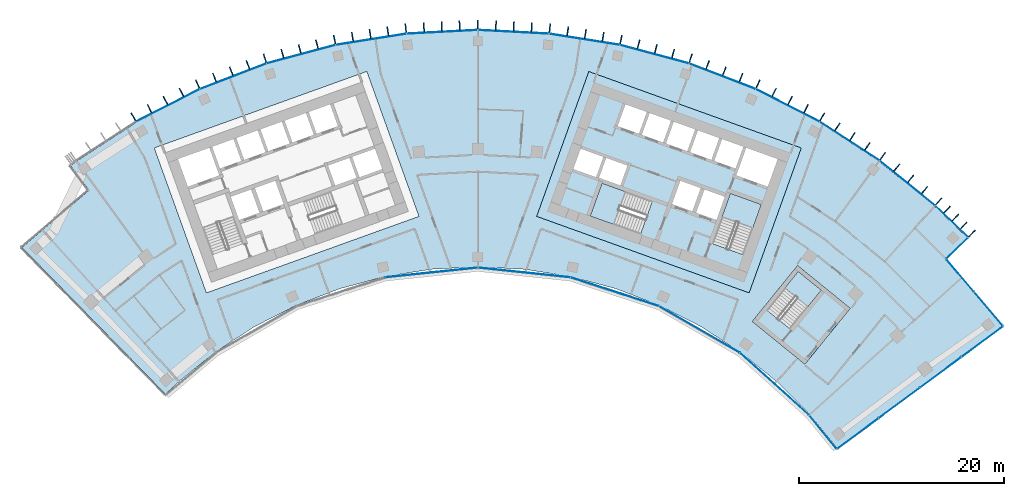
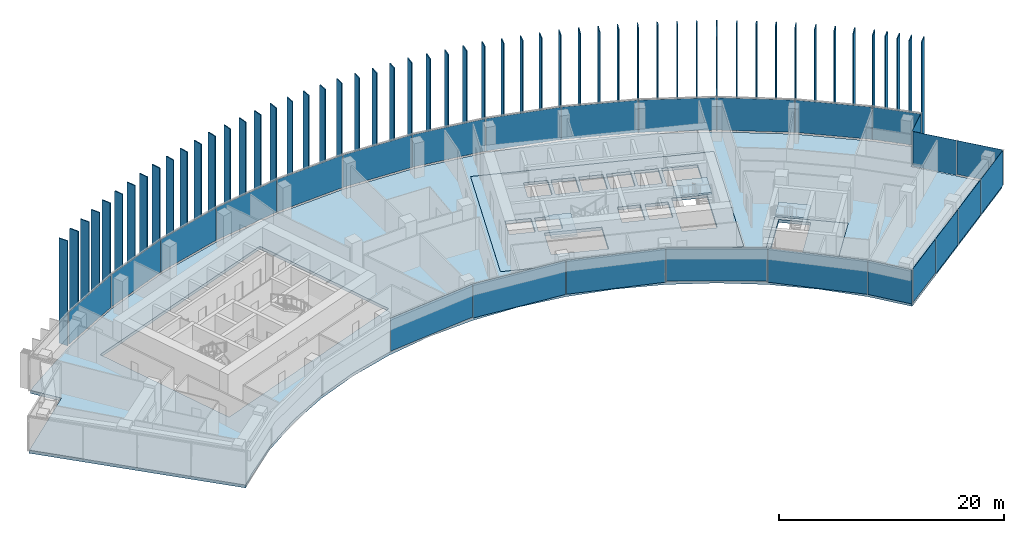
# One storey, part 12 of 19: 79 plates, 6 slabs, 8 elements without a shape of their own.
"""IFC4 building model written with IfcOpenShell, lengths in metres."""

from ifc_helpers import new_model, si_unit, direction, frame, origin, origin_2d, place, context, subcontext, project, spatial, polyline, rectangle, outline, extrude, material, layer, layer_set, type_object, element, aggregate, save


model = new_model("IFC4")

# Units and contexts
model_context = context("Model", 3, precision=1e-05, world=origin(), true_north=direction((0.0, 1.0)))
body_context = subcontext(model_context, "Body", "Model", "MODEL_VIEW")
ifc_project = project(units=[si_unit("LENGTHUNIT", "METRE"), si_unit("AREAUNIT", "SQUARE_METRE"), si_unit("VOLUMEUNIT", "CUBIC_METRE"), si_unit("PLANEANGLEUNIT", "RADIAN"), si_unit("MASSUNIT", "GRAM", prefix="KILO")], contexts=[model_context])

# Site, building, storey
site_placement = place(None, origin())
site = spatial("IfcSite", under=ifc_project, at=site_placement, CompositionType="ELEMENT")
building_placement = place(site_placement, origin())
building = spatial("IfcBuilding", under=site, at=building_placement, Name="Stone Belt Terrace Tower", CompositionType="ELEMENT")
storey_placement = place(building_placement, frame((0.0, 0.0, 223.800048828125)))
storey = spatial("IfcBuildingStorey", under=building, at=storey_placement, Name="L54", CompositionType="ELEMENT", Elevation=223.800048828125)

# Curtain wall, plates
ifc_material_1 = material(Name="Aluminium 6063-T6 anodised frame", Category="aluminium")
ifc_layer_1 = layer(ifc_material_1, 0.14990234375)
ifc_layer_set_1 = layer_set([ifc_layer_1], Name="CW-A unitised convex-face curtain wall")
curtain_wall_type_1 = type_object("IfcCurtainWallType", Name="CW-A unitised convex-face curtain wall", PredefinedType="NOTDEFINED", material=ifc_layer_set_1)
curtain_wall_1_placement = place(storey_placement, origin())
curtain_wall_1 = element("IfcCurtainWall", 1, at=curtain_wall_1_placement, inside=storey, type_object=curtain_wall_type_1, Name="CW-A convex face L54", PredefinedType="NOTDEFINED")
ifc_material_2 = material(Name="Clear double glazed unit")
ifc_layer_2 = layer(ifc_material_2, 0.031982421875)
ifc_layer_set_2 = layer_set([ifc_layer_2], Name="CW-A glass panel 32")
plate_type_1 = type_object("IfcPlateType", Name="CW-A glass panel 32", PredefinedType="CURTAIN_PANEL", material=ifc_layer_set_2)
plate_1_placement = place(storey_placement, frame((46.14599609375, 47.936767578125, 0.139892578125), z_axis=(0.0, 0.0, 1.0), x_axis=(-0.720604393579, 0.693346455933, 0.0)))
plate_1 = element("IfcPlate", 2, at=plate_1_placement, type_object=plate_type_1, Name="CW-A panel 1.1", PredefinedType="CURTAIN_PANEL", context=body_context, shape_type="SweptSolid", body=[
    extrude(rectangle(XDim=4.372314453125, YDim=0.031982421875, at=origin_2d()), origin(), (0.0, 0.0, 1.0), 3.52001953125),
])
plate_2_placement = place(storey_placement, frame((41.839599609375, 51.667724609375, 0.139892578125), z_axis=(0.0, 0.0, 1.0), x_axis=(-0.777145961457, 0.62932039105, 0.0)))
plate_2 = element("IfcPlate", 3, at=plate_2_placement, type_object=plate_type_1, Name="CW-A panel 2.1", PredefinedType="CURTAIN_PANEL", context=body_context, shape_type="SweptSolid", body=[
    extrude(rectangle(XDim=6.90087890625, YDim=0.031982421875, at=origin_2d()), origin(), (0.0, 0.0, 1.0), 3.52001953125),
])
plate_3_placement = place(storey_placement, frame((36.209716796875, 55.758056640625, 0.139892578125), z_axis=(0.0, 0.0, 1.0), x_axis=(-0.838670567945, 0.544639035015, 0.0)))
plate_3 = element("IfcPlate", 4, at=plate_3_placement, type_object=plate_type_1, Name="CW-A panel 3.1", PredefinedType="CURTAIN_PANEL", context=body_context, shape_type="SweptSolid", body=[
    extrude(rectangle(XDim=6.90087890625, YDim=0.031982421875, at=origin_2d()), origin(), (0.0, 0.0, 1.0), 3.52001953125),
])
plate_4_placement = place(storey_placement, frame((30.18310546875, 59.237548828125, 0.139892578125), z_axis=(0.0, 0.0, 1.0), x_axis=(-0.891006524188, 0.45399049974, 0.0)))
plate_4 = element("IfcPlate", 5, at=plate_4_placement, type_object=plate_type_1, Name="CW-A panel 4.1", PredefinedType="CURTAIN_PANEL", context=body_context, shape_type="SweptSolid", body=[
    extrude(rectangle(XDim=6.90087890625, YDim=0.031982421875, at=origin_2d()), origin(), (0.0, 0.0, 1.0), 3.52001953125),
])
plate_5_placement = place(storey_placement, frame((23.82568359375, 62.068115234375, 0.139892578125), z_axis=(0.0, 0.0, 1.0), x_axis=(-0.933580426497, 0.358367949545, 0.0)))
plate_5 = element("IfcPlate", 6, at=plate_5_placement, type_object=plate_type_1, Name="CW-A panel 5.1", PredefinedType="CURTAIN_PANEL", context=body_context, shape_type="SweptSolid", body=[
    extrude(rectangle(XDim=6.90087890625, YDim=0.031982421875, at=origin_2d()), origin(), (0.0, 0.0, 1.0), 3.52001953125),
])
plate_6_placement = place(storey_placement, frame((17.207275390625, 64.218505859375, 0.139892578125), z_axis=(0.0, 0.0, 1.0), x_axis=(-0.965925826289, 0.258819045103, 0.0)))
plate_6 = element("IfcPlate", 7, at=plate_6_placement, type_object=plate_type_1, Name="CW-A panel 6.1", PredefinedType="CURTAIN_PANEL", context=body_context, shape_type="SweptSolid", body=[
    extrude(rectangle(XDim=6.90087890625, YDim=0.031982421875, at=origin_2d()), origin(), (0.0, 0.0, 1.0), 3.52001953125),
])
plate_7_placement = place(storey_placement, frame((10.400390625, 65.665283203125, 0.139892578125), z_axis=(0.0, 0.0, 1.0), x_axis=(-0.987688340595, 0.15643446504, 0.0)))
plate_7 = element("IfcPlate", 8, at=plate_7_placement, type_object=plate_type_1, Name="CW-A panel 7.1", PredefinedType="CURTAIN_PANEL", context=body_context, shape_type="SweptSolid", body=[
    extrude(rectangle(XDim=6.90087890625, YDim=0.031982421875, at=origin_2d()), origin(), (0.0, 0.0, 1.0), 3.52001953125),
])
plate_8_placement = place(storey_placement, frame((3.4794921875, 66.392822265625, 0.139892578125), z_axis=(0.0, 0.0, 1.0), x_axis=(-0.998629534755, 0.052335956243, 0.0)))
plate_8 = element("IfcPlate", 9, at=plate_8_placement, type_object=plate_type_1, Name="CW-A panel 8.1", PredefinedType="CURTAIN_PANEL", context=body_context, shape_type="SweptSolid", body=[
    extrude(rectangle(XDim=6.90087890625, YDim=0.031982421875, at=origin_2d()), origin(), (0.0, 0.0, 1.0), 3.52001953125),
])
plate_9_placement = place(storey_placement, frame((-3.4794921875, 66.392822265625, 0.139892578125), z_axis=(0.0, 0.0, 1.0), x_axis=(-0.998629534755, -0.052335956243, 0.0)))
plate_9 = element("IfcPlate", 10, at=plate_9_placement, type_object=plate_type_1, Name="CW-A panel 9.1", PredefinedType="CURTAIN_PANEL", context=body_context, shape_type="SweptSolid", body=[
    extrude(rectangle(XDim=6.90087890625, YDim=0.031982421875, at=origin_2d()), origin(), (0.0, 0.0, 1.0), 3.52001953125),
])
plate_10_placement = place(storey_placement, frame((-10.400390625, 65.665283203125, 0.139892578125), z_axis=(0.0, 0.0, 1.0), x_axis=(-0.987688340595, -0.15643446504, 0.0)))
plate_10 = element("IfcPlate", 11, at=plate_10_placement, type_object=plate_type_1, Name="CW-A panel 10.1", PredefinedType="CURTAIN_PANEL", context=body_context, shape_type="SweptSolid", body=[
    extrude(rectangle(XDim=6.90087890625, YDim=0.031982421875, at=origin_2d()), origin(), (0.0, 0.0, 1.0), 3.52001953125),
])
plate_11_placement = place(storey_placement, frame((-17.207275390625, 64.218505859375, 0.139892578125), z_axis=(0.0, 0.0, 1.0), x_axis=(-0.965925826289, -0.258819045103, 0.0)))
plate_11 = element("IfcPlate", 12, at=plate_11_placement, type_object=plate_type_1, Name="CW-A panel 11.1", PredefinedType="CURTAIN_PANEL", context=body_context, shape_type="SweptSolid", body=[
    extrude(rectangle(XDim=6.90087890625, YDim=0.031982421875, at=origin_2d()), origin(), (0.0, 0.0, 1.0), 3.52001953125),
])
plate_12_placement = place(storey_placement, frame((-23.82568359375, 62.068115234375, 0.139892578125), z_axis=(0.0, 0.0, 1.0), x_axis=(-0.933580426497, -0.358367949545, 0.0)))
plate_12 = element("IfcPlate", 13, at=plate_12_placement, type_object=plate_type_1, Name="CW-A panel 12.1", PredefinedType="CURTAIN_PANEL", context=body_context, shape_type="SweptSolid", body=[
    extrude(rectangle(XDim=6.90087890625, YDim=0.031982421875, at=origin_2d()), origin(), (0.0, 0.0, 1.0), 3.52001953125),
])
plate_13_placement = place(storey_placement, frame((-30.18310546875, 59.237548828125, 0.139892578125), z_axis=(0.0, 0.0, 1.0), x_axis=(-0.891006524188, -0.45399049974, 0.0)))
plate_13 = element("IfcPlate", 14, at=plate_13_placement, type_object=plate_type_1, Name="CW-A panel 13.1", PredefinedType="CURTAIN_PANEL", context=body_context, shape_type="SweptSolid", body=[
    extrude(rectangle(XDim=6.90087890625, YDim=0.031982421875, at=origin_2d()), origin(), (0.0, 0.0, 1.0), 3.52001953125),
])
aggregate(curtain_wall_1, [plate_1, plate_2, plate_3, plate_4, plate_5, plate_6, plate_7, plate_8, plate_9, plate_10, plate_11, plate_12, plate_13])

ifc_layer_3 = layer(ifc_material_1, 0.14990234375)
ifc_layer_set_3 = layer_set([ifc_layer_3], Name="CW-B unitised concave-face curtain wall")
curtain_wall_type_2 = type_object("IfcCurtainWallType", Name="CW-B unitised concave-face curtain wall", PredefinedType="NOTDEFINED", material=ifc_layer_set_3)
curtain_wall_2_placement = place(storey_placement, origin())
curtain_wall_2 = element("IfcCurtainWall", 15, at=curtain_wall_2_placement, inside=storey, type_object=curtain_wall_type_2, Name="CW-B concave face L54", PredefinedType="NOTDEFINED")
ifc_layer_4 = layer(ifc_material_2, 0.030029296875)
ifc_layer_set_4 = layer_set([ifc_layer_4], Name="CW-B glass panel 30")
plate_type_2 = type_object("IfcPlateType", Name="CW-B glass panel 30", PredefinedType="CURTAIN_PANEL", material=ifc_layer_set_4)
plate_14_placement = place(storey_placement, frame((-4.51416015625, 42.9501953125, 0.119873046875), z_axis=(0.0, 0.0, 1.0), x_axis=(0.994521895368, 0.104528463268, 0.0)))
plate_14 = element("IfcPlate", 16, at=plate_14_placement, type_object=plate_type_2, Name="CW-B panel 4.1", PredefinedType="CURTAIN_PANEL", context=body_context, shape_type="SweptSolid", body=[
    extrude(rectangle(XDim=9.0126953125, YDim=0.030029296875, at=origin_2d()), origin(), (0.0, 0.0, 1.0), 3.56005859375),
])
plate_15_placement = place(storey_placement, frame((4.51416015625, 42.9501953125, 0.0), z_axis=(0.0, 0.0, 1.0), x_axis=(0.994521895368, -0.104528463268, 0.0)))
plate_15 = element("IfcPlate", 17, at=plate_15_placement, type_object=plate_type_2, Name="CW-B panel 5.1", PredefinedType="CURTAIN_PANEL", context=body_context, shape_type="SweptSolid", body=[
    extrude(rectangle(XDim=9.0126953125, YDim=0.030029296875, at=origin_2d()), origin(), (0.0, 0.0, 1.0), 3.679931640625),
])
plate_16_placement = place(storey_placement, frame((13.345458984375, 41.072998046875, 0.0), z_axis=(0.0, 0.0, 1.0), x_axis=(0.951056516295, -0.309016994375, 0.0)))
plate_16 = element("IfcPlate", 18, at=plate_16_placement, type_object=plate_type_2, Name="CW-B panel 6.1", PredefinedType="CURTAIN_PANEL", context=body_context, shape_type="SweptSolid", body=[
    extrude(rectangle(XDim=9.0126953125, YDim=0.030029296875, at=origin_2d()), origin(), (0.0, 0.0, 1.0), 3.679931640625),
])
plate_17_placement = place(storey_placement, frame((21.59326171875, 37.40087890625, 0.119873046875), z_axis=(0.0, 0.0, 1.0), x_axis=(0.866025403784, -0.5, 0.0)))
plate_17 = element("IfcPlate", 19, at=plate_17_placement, type_object=plate_type_2, Name="CW-B panel 7.1", PredefinedType="CURTAIN_PANEL", context=body_context, shape_type="SweptSolid", body=[
    extrude(rectangle(XDim=9.0126953125, YDim=0.030029296875, at=origin_2d()), origin(), (0.0, 0.0, 1.0), 3.56005859375),
])
plate_18_placement = place(storey_placement, frame((28.899169921875, 32.092529296875, 0.0), z_axis=(0.0, 0.0, 1.0), x_axis=(0.743144825477, -0.669130606359, 0.0)))
plate_18 = element("IfcPlate", 20, at=plate_18_placement, type_object=plate_type_2, Name="CW-B panel 8.1", PredefinedType="CURTAIN_PANEL", context=body_context, shape_type="SweptSolid", body=[
    extrude(rectangle(XDim=9.01708984375, YDim=0.030029296875, at=origin_2d()), origin(), (0.0, 0.0, 1.0), 3.679931640625),
])
plate_19_placement = place(storey_placement, frame((33.611572265625, 27.4150390625, 0.0), z_axis=(0.0, 0.0, 1.0), x_axis=(0.632397726807, -0.774643863417, 0.0)))
plate_19 = element("IfcPlate", 21, at=plate_19_placement, type_object=plate_type_2, Name="CW-B panel 9.1", PredefinedType="CURTAIN_PANEL", context=body_context, shape_type="SweptSolid", body=[
    extrude(rectangle(XDim=4.173828125, YDim=0.030029296875, at=origin_2d()), origin(), (0.0, 0.0, 1.0), 3.679931640625),
])
aggregate(curtain_wall_2, [plate_14, plate_15, plate_16, plate_17, plate_18, plate_19])

ifc_layer_5 = layer(ifc_material_1, 0.14990234375)
ifc_layer_set_5 = layer_set([ifc_layer_5], Name="CW-C stick curtain wall, horn ends and notches")
curtain_wall_type_3 = type_object("IfcCurtainWallType", Name="CW-C stick curtain wall, horn ends and notches", PredefinedType="NOTDEFINED", material=ifc_layer_set_5)
curtain_wall_3_placement = place(storey_placement, origin())
curtain_wall_3 = element("IfcCurtainWall", 22, at=curtain_wall_3_placement, inside=storey, type_object=curtain_wall_type_3, Name="CW-C end face L54", PredefinedType="NOTDEFINED")
ifc_layer_6 = layer(ifc_material_2, 0.028076171875)
ifc_layer_set_6 = layer_set([ifc_layer_6], Name="CW-C glass panel 28")
plate_type_3 = type_object("IfcPlateType", Name="CW-C glass panel 28", PredefinedType="CURTAIN_PANEL", material=ifc_layer_set_6)
plate_20_placement = place(storey_placement, frame((37.032470703125, 27.263916015625, 0.1201171875), z_axis=(0.0, 0.0, 1.0), x_axis=(0.804329077539, 0.594184091865, 0.0)))
plate_20 = element("IfcPlate", 23, at=plate_20_placement, type_object=plate_type_3, Name="CW-C panel 1.1", PredefinedType="CURTAIN_PANEL", context=body_context, shape_type="SweptSolid", body=[
    extrude(rectangle(XDim=4.968017578125, YDim=0.028076171875, at=origin_2d()), origin(), (0.0, 0.0, 1.0), 3.679931640625),
])
plate_21_placement = place(storey_placement, frame((41.0654296875, 30.2431640625, 0.0), z_axis=(0.0, 0.0, 1.0), x_axis=(0.804329077539, 0.594184091865, 0.0)))
plate_21 = element("IfcPlate", 24, at=plate_21_placement, type_object=plate_type_3, Name="CW-C panel 2.1", PredefinedType="CURTAIN_PANEL", context=body_context, shape_type="SweptSolid", body=[
    extrude(rectangle(XDim=4.93994140625, YDim=0.028076171875, at=origin_2d()), origin(), (0.0, 0.0, 1.0), 3.800048828125),
])
plate_22_placement = place(storey_placement, frame((45.0869140625, 33.2138671875, 0.0), z_axis=(0.0, 0.0, 1.0), x_axis=(0.804329077539, 0.594184091865, 0.0)))
plate_22 = element("IfcPlate", 25, at=plate_22_placement, type_object=plate_type_3, Name="CW-C panel 3.1", PredefinedType="CURTAIN_PANEL", context=body_context, shape_type="SweptSolid", body=[
    extrude(rectangle(XDim=4.93994140625, YDim=0.028076171875, at=origin_2d()), origin(), (0.0, 0.0, 1.0), 3.800048828125),
])
plate_23_placement = place(storey_placement, frame((49.122802734375, 36.1953125, 0.0), z_axis=(0.0, 0.0, 1.0), x_axis=(0.804329077539, 0.594184091865, 0.0)))
plate_23 = element("IfcPlate", 26, at=plate_23_placement, type_object=plate_type_3, Name="CW-C panel 4.1", PredefinedType="CURTAIN_PANEL", context=body_context, shape_type="SweptSolid", body=[
    extrude(rectangle(XDim=4.974853515625, YDim=0.028076171875, at=origin_2d()), origin(), (0.0, 0.0, 1.0), 3.800048828125),
])
aggregate(curtain_wall_3, [plate_20, plate_21, plate_22, plate_23])

curtain_wall_4_placement = place(storey_placement, origin())
curtain_wall_4 = element("IfcCurtainWall", 27, at=curtain_wall_4_placement, inside=storey, type_object=curtain_wall_type_3, Name="CW-C notch face L54", PredefinedType="NOTDEFINED")
plate_24_placement = place(storey_placement, frame((49.75390625, 39.402587890625, 0.1201171875), z_axis=(0.0, 0.0, 1.0), x_axis=(-0.647210945735, 0.762310954743, 0.0)))
plate_24 = element("IfcPlate", 28, at=plate_24_placement, type_object=plate_type_3, Name="CW-C panel 1.1", PredefinedType="CURTAIN_PANEL", context=body_context, shape_type="SweptSolid", body=[
    extrude(rectangle(XDim=4.268798828125, YDim=0.028076171875, at=origin_2d()), origin(), (0.0, 0.0, 1.0), 3.679931640625),
])
plate_25_placement = place(storey_placement, frame((47.000244140625, 42.645751953125, 0.0), z_axis=(0.0, 0.0, 1.0), x_axis=(-0.647210945735, 0.762310954743, 0.0)))
plate_25 = element("IfcPlate", 29, at=plate_25_placement, type_object=plate_type_3, Name="CW-C panel 2.1", PredefinedType="CURTAIN_PANEL", context=body_context, shape_type="SweptSolid", body=[
    extrude(rectangle(XDim=4.12060546875, YDim=0.028076171875, at=origin_2d()), origin(), (0.0, 0.0, 1.0), 3.800048828125),
])
aggregate(curtain_wall_4, [plate_24, plate_25])

# Curtain wall, plate
curtain_wall_5_placement = place(storey_placement, origin())
curtain_wall_5 = element("IfcCurtainWall", 30, at=curtain_wall_5_placement, inside=storey, type_object=curtain_wall_type_3, Name="CW-C notch face L54", PredefinedType="NOTDEFINED")
plate_26_placement = place(storey_placement, frame((46.69677734375, 45.320068359375, 0.1201171875), z_axis=(0.0, 0.0, 1.0), x_axis=(0.71680345276, 0.697275275707, 0.0)))
plate_26 = element("IfcPlate", 31, at=plate_26_placement, type_object=plate_type_3, Name="CW-C panel 1.1", PredefinedType="CURTAIN_PANEL", context=body_context, shape_type="SweptSolid", body=[
    extrude(rectangle(XDim=2.859619140625, YDim=0.028076171875, at=origin_2d()), origin(), (0.0, 0.0, 1.0), 3.679931640625),
])
aggregate(curtain_wall_5, [plate_26])

# Slabs
ifc_material_3 = material(Name="Concrete B40", Category="concrete")
ifc_layer_7 = layer(ifc_material_3, 0.320068359375)
ifc_layer_set_7 = layer_set([ifc_layer_7], Name="Core floor slab 320")
slab_type_1 = type_object("IfcSlabType", Name="Core floor slab 320", PredefinedType="FLOOR", material=ifc_layer_set_7)
slab_1_placement = place(storey_placement, frame((0.0, 0.0, -0.320068359375)))
element("IfcSlab", 32, at=slab_1_placement, inside=storey, type_object=slab_type_1, Name="Core B floor L54", PredefinedType="FLOOR", context=body_context, shape_type="SweptSolid", body=[
    extrude(outline(polyline([(26.43505859375, 40.968994140625), (31.513916015625, 55.0830078125), (10.81396484375, 62.531982421875), (5.735107421875, 48.4189453125), (26.43505859375, 40.968994140625)]), holes=[polyline([(12.10595703125, 51.652099609375), (16.998046875, 49.89208984375), (15.846923828125, 46.69189453125), (10.955078125, 48.452880859375), (12.10595703125, 51.652099609375)]), polyline([(12.511962890625, 54.110107421875), (14.58203125, 53.364990234375), (13.887939453125, 51.43603515625), (11.864990234375, 52.1640625), (11.847900390625, 52.116943359375), (11.801025390625, 52.134033203125), (12.511962890625, 54.110107421875)]), polyline([(9.30810546875, 53.031005859375), (10.01904296875, 55.007080078125), (12.22998046875, 54.2109375), (11.51904296875, 52.235107421875), (9.30810546875, 53.031005859375)]), polyline([(18.333984375, 55.52197265625), (19.095947265625, 57.638916015625), (21.166015625, 56.89404296875), (20.404052734375, 54.777099609375), (18.333984375, 55.52197265625)]), polyline([(16.743896484375, 58.485107421875), (18.81396484375, 57.739990234375), (18.052001953125, 55.623046875), (15.98193359375, 56.367919921875), (16.743896484375, 58.485107421875)]), polyline([(14.39111328125, 59.33203125), (16.4609375, 58.5869140625), (15.699951171875, 56.469970703125), (13.6298828125, 57.215087890625), (14.39111328125, 59.33203125)]), polyline([(27.618896484375, 49.575927734375), (25.85888671875, 44.68408203125), (22.847900390625, 45.76806640625), (24.60791015625, 50.659912109375), (27.618896484375, 49.575927734375)]), polyline([(23.25, 48.06689453125), (21.27392578125, 48.778076171875), (22.0869140625, 51.035888671875), (24.06298828125, 50.324951171875), (23.25, 48.06689453125)]), polyline([(20.89794921875, 48.9130859375), (18.922119140625, 49.6240234375), (19.735107421875, 51.883056640625), (21.7109375, 51.1708984375), (20.89794921875, 48.9130859375)]), polyline([(26.153076171875, 55.09912109375), (29.2109375, 53.9990234375), (28.24609375, 51.31689453125), (25.18798828125, 52.41796875), (26.153076171875, 55.09912109375)]), polyline([(23.801025390625, 55.946044921875), (25.87109375, 55.200927734375), (25.10888671875, 53.083984375), (23.0390625, 53.8291015625), (23.801025390625, 55.946044921875)]), polyline([(21.447998046875, 56.7919921875), (23.51806640625, 56.047119140625), (22.756103515625, 53.929931640625), (20.68603515625, 54.675048828125), (21.447998046875, 56.7919921875)])]), origin(), (0.0, 0.0, 1.0), 0.320068359375),
])
slab_2_placement = place(storey_placement, frame((0.0, 0.0, -0.320068359375)))
element("IfcSlab", 33, at=slab_2_placement, inside=storey, type_object=slab_type_1, Name="Exit stair ST3B floor L54", PredefinedType="FLOOR", context=body_context, shape_type="SweptSolid", body=[
    extrude(outline(polyline([(26.741943359375, 38.18408203125), (31.866943359375, 34.02392578125), (36.278076171875, 39.458984375), (31.154052734375, 43.618896484375), (26.741943359375, 38.18408203125)]), holes=[polyline([(30.407958984375, 37.462890625), (28.156005859375, 39.291015625), (31.2119140625, 43.055908203125), (33.464111328125, 41.22802734375), (30.407958984375, 37.462890625)])]), origin(), (0.0, 0.0, 1.0), 0.320068359375),
])
ifc_layer_8 = layer(ifc_material_3, 0.320068359375)
ifc_layer_set_8 = layer_set([ifc_layer_8], Name="Floor slab 320 B40")
slab_type_2 = type_object("IfcSlabType", Name="Floor slab 320 B40", PredefinedType="FLOOR", material=ifc_layer_set_8)
slab_3_placement = place(storey_placement, frame((0.0, 0.0, -0.320068359375)))
element("IfcSlab", 34, at=slab_3_placement, inside=storey, type_object=slab_type_2, Name="Floor slab L54", PredefinedType="FLOOR", context=body_context, shape_type="SweptSolid", body=[
    extrude(outline(polyline([(-39.671142578125, 53.370849609375), (-39.087646484375, 53.799560546875), (-33.25, 57.5908203125), (-27.048095703125, 60.750732421875), (-20.549560546875, 63.245361328125), (-13.826171875, 65.046875), (-6.951171875, 66.1357421875), (0.0, 66.5), (6.951171875, 66.1357421875), (13.826171875, 65.046875), (20.549560546875, 63.245361328125), (27.048095703125, 60.750732421875), (33.25, 57.5908203125), (39.087646484375, 53.799560546875), (44.497314453125, 49.419189453125), (47.66748046875, 46.368896484375), (45.51708984375, 44.277099609375), (51.074951171875, 37.730712890625), (34.98828125, 25.846923828125), (32.326904296875, 29.107177734375), (29.107177734375, 32.326904296875), (25.568603515625, 35.192138671875), (21.75, 37.672119140625), (17.693115234375, 39.7392578125), (13.442138671875, 41.37109375), (9.044189453125, 42.54931640625), (4.547119140625, 43.26171875), (0.0, 43.5), (-4.547119140625, 43.26171875), (-9.044189453125, 42.54931640625), (-13.442138671875, 41.37109375), (-17.693115234375, 39.7392578125), (-21.75, 37.672119140625), (-25.568603515625, 35.192138671875), (-29.107177734375, 32.326904296875), (-30.423583984375, 31.091064453125), (-44.411376953125, 45.385986328125), (-37.881591796875, 50.963134765625), (-39.671142578125, 53.370849609375)]), holes=[polyline([(-31.51416015625, 55.082763671875), (-26.434814453125, 40.968994140625), (-5.734619140625, 48.418701171875), (-10.81396484375, 62.532470703125), (-31.51416015625, 55.082763671875)]), polyline([(31.51416015625, 55.082763671875), (10.81396484375, 62.532470703125), (5.734619140625, 48.418701171875), (26.434814453125, 40.968994140625), (31.51416015625, 55.082763671875)]), polyline([(36.2783203125, 39.459228515625), (31.15380859375, 43.61865234375), (26.742431640625, 38.18359375), (31.86669921875, 34.024169921875), (36.2783203125, 39.459228515625)])]), origin(), (0.0, 0.0, 1.0), 0.320068359375),
])

# Stair, slab
stair_type = type_object("IfcStairType", Name="Exit stair 1500", PredefinedType="HALF_TURN_STAIR", material=ifc_material_3)
stair_1_placement = place(storey_placement, origin())
stair_1 = element("IfcStair", 35, at=stair_1_placement, inside=storey, type_object=stair_type, Name="L54 Exit stair 1 core B", PredefinedType="HALF_TURN_STAIR")
ifc_layer_9 = layer(ifc_material_3, 0.199951171875)
ifc_layer_set_9 = layer_set([ifc_layer_9], Name="Stair landing 200")
slab_type_3 = type_object("IfcSlabType", Name="Stair landing 200", PredefinedType="LANDING", material=ifc_layer_set_9)
slab_4_placement = place(storey_placement, frame((0.0, 0.0, 1.699951171875)))
slab_4 = element("IfcSlab", 36, at=slab_4_placement, type_object=slab_type_3, Name="ST1B landing 1", PredefinedType="LANDING", context=body_context, shape_type="SweptSolid", body=[
    extrude(outline(polyline([(26.806396484375, 47.3173828125), (27.619384765625, 49.576171875), (24.6083984375, 50.659912109375), (23.79541015625, 48.40087890625), (26.806396484375, 47.3173828125)])), origin(), (0.0, 0.0, 1.0), 0.199951171875),
])
aggregate(stair_1, [slab_4])

stair_2_placement = place(storey_placement, origin())
stair_2 = element("IfcStair", 37, at=stair_2_placement, inside=storey, type_object=stair_type, Name="L54 Exit stair 2 core B", PredefinedType="HALF_TURN_STAIR")
slab_5_placement = place(storey_placement, frame((0.0, 0.0, 1.699951171875)))
slab_5 = element("IfcSlab", 38, at=slab_5_placement, type_object=slab_type_3, Name="ST2B landing 1", PredefinedType="LANDING", context=body_context, shape_type="SweptSolid", body=[
    extrude(outline(polyline([(14.36474609375, 50.839111328125), (12.10595703125, 51.652099609375), (10.95458984375, 48.453125), (13.213623046875, 47.64013671875), (14.36474609375, 50.839111328125)])), origin(), (0.0, 0.0, 1.0), 0.199951171875),
])
aggregate(stair_2, [slab_5])

stair_3_placement = place(storey_placement, origin())
stair_3 = element("IfcStair", 39, at=stair_3_placement, inside=storey, type_object=stair_type, Name="L54 Exit stair 3B", PredefinedType="HALF_TURN_STAIR")
slab_6_placement = place(storey_placement, frame((0.0, 0.0, 1.699951171875)))
slab_6 = element("IfcSlab", 40, at=slab_6_placement, type_object=slab_type_3, Name="ST3B landing 1", PredefinedType="LANDING", context=body_context, shape_type="SweptSolid", body=[
    extrude(outline(polyline([(32.17138671875, 39.635986328125), (33.4638671875, 41.228271484375), (31.21240234375, 43.055908203125), (29.919921875, 41.463623046875), (32.17138671875, 39.635986328125)])), origin(), (0.0, 0.0, 1.0), 0.199951171875),
])
aggregate(stair_3, [slab_6])

# Plates
ifc_material_4 = material(Name="Terracotta coloured glazed ceramic", Category="masonry")
ifc_layer_10 = layer(ifc_material_4, 0.10009765625)
ifc_layer_set_10 = layer_set([ifc_layer_10], Name="Terracotta fin 100 x 900")
plate_type_4 = type_object("IfcPlateType", Name="Terracotta fin 100 x 900", PredefinedType="SHEET", material=ifc_layer_set_10)
for number, where, z_axis, x_axis, name in (
    (41, (48.139404296875, 46.747314453125, 0.0), (0.0, 0.0, 1.0), (0.693346455933, 0.720604393579, 0.0), "FIN L54 1.1"),
    (42, (47.332275390625, 47.52392578125, 0.0), (0.0, 0.0, 1.0), (0.693346455933, 0.720604393579, 0.0), "FIN L54 1.2"),
    (43, (46.525146484375, 48.300537109375, 0.0), (0.0, 0.0, 1.0), (0.693346455933, 0.720604393579, 0.0), "FIN L54 1.3"),
    (44, (45.718017578125, 49.0771484375, 0.0), (0.0, 0.0, 1.0), (0.693346455933, 0.720604393579, 0.0), "FIN L54 1.4"),
    (45, (44.894287109375, 49.868896484375, 0.0), (0.0, 0.0, 1.0), (0.661937409618, 0.749559114245, 0.0), "FIN L54 2.1"),
    (46, (43.5234375, 50.979736328125, 0.0), (0.0, 0.0, 1.0), (0.62932039105, 0.777145961457, 0.0), "FIN L54 2.2"),
    (47, (42.169677734375, 52.075927734375, 0.0), (0.0, 0.0, 1.0), (0.62932039105, 0.777145961457, 0.0), "FIN L54 2.3"),
    (48, (40.81591796875, 53.172119140625, 0.0), (0.0, 0.0, 1.0), (0.62932039105, 0.777145961457, 0.0), "FIN L54 2.4"),
    (49, (39.4404296875, 54.28515625, 0.0), (0.0, 0.0, 1.0), (0.587785252292, 0.809016994375, 0.0), "FIN L54 3.1"),
    (50, (37.956787109375, 55.24951171875, 0.0), (0.0, 0.0, 1.0), (0.544639035015, 0.838670567945, 0.0), "FIN L54 3.2"),
    (51, (36.49560546875, 56.1982421875, 0.0), (0.0, 0.0, 1.0), (0.544639035015, 0.838670567945, 0.0), "FIN L54 3.3"),
    (52, (35.03466796875, 57.147216796875, 0.0), (0.0, 0.0, 1.0), (0.544639035015, 0.838670567945, 0.0), "FIN L54 3.4"),
    (53, (33.550048828125, 58.1103515625, 0.0), (0.0, 0.0, 1.0), (0.5, 0.866025403784, 0.0), "FIN L54 4.1"),
    (54, (31.9736328125, 58.914306640625, 0.0), (0.0, 0.0, 1.0), (0.45399049974, 0.891006524188, 0.0), "FIN L54 4.2"),
    (55, (30.42138671875, 59.705322265625, 0.0), (0.0, 0.0, 1.0), (0.45399049974, 0.891006524188, 0.0), "FIN L54 4.3"),
    (56, (28.869140625, 60.496337890625, 0.0), (0.0, 0.0, 1.0), (0.45399049974, 0.891006524188, 0.0), "FIN L54 4.4"),
    (57, (27.2919921875, 61.299072265625, 0.0), (0.0, 0.0, 1.0), (0.406736643076, 0.913545457643, 0.0), "FIN L54 5.1"),
    (58, (25.64013671875, 61.933837890625, 0.0), (0.0, 0.0, 1.0), (0.358367949545, 0.933580426497, 0.0), "FIN L54 5.2"),
    (59, (24.013916015625, 62.55810546875, 0.0), (0.0, 0.0, 1.0), (0.358367949545, 0.933580426497, 0.0), "FIN L54 5.3"),
    (60, (22.387451171875, 63.182373046875, 0.0), (0.0, 0.0, 1.0), (0.358367949545, 0.933580426497, 0.0), "FIN L54 5.4"),
    (61, (20.735107421875, 63.81591796875, 0.0), (0.0, 0.0, 1.0), (0.309016994375, 0.951056516295, 0.0), "FIN L54 6.1"),
    (62, (19.02587890625, 64.274658203125, 0.0), (0.0, 0.0, 1.0), (0.258819045103, 0.965925826289, 0.0), "FIN L54 6.2"),
    (63, (17.34326171875, 64.7255859375, 0.0), (0.0, 0.0, 1.0), (0.258819045103, 0.965925826289, 0.0), "FIN L54 6.3"),
    (64, (15.660400390625, 65.176513671875, 0.0), (0.0, 0.0, 1.0), (0.258819045103, 0.965925826289, 0.0), "FIN L54 6.4"),
    (65, (13.950927734375, 65.6337890625, 0.0), (0.0, 0.0, 1.0), (0.207911690818, 0.978147600734, 0.0), "FIN L54 7.1"),
    (66, (12.203125, 65.911376953125, 0.0), (0.0, 0.0, 1.0), (0.15643446504, 0.987688340595, 0.0), "FIN L54 7.2"),
    (67, (10.482421875, 66.183837890625, 0.0), (0.0, 0.0, 1.0), (0.15643446504, 0.987688340595, 0.0), "FIN L54 7.3"),
    (68, (8.76171875, 66.456298828125, 0.0), (0.0, 0.0, 1.0), (0.15643446504, 0.987688340595, 0.0), "FIN L54 7.4"),
    (69, (7.013916015625, 66.732421875, 0.0), (0.0, 0.0, 1.0), (0.104528463268, 0.994521895368, 0.0), "FIN L54 8.1"),
    (70, (5.246826171875, 66.825927734375, 0.0), (0.0, 0.0, 1.0), (0.052335956243, 0.998629534755, 0.0), "FIN L54 8.2"),
    (71, (3.507080078125, 66.9169921875, 0.0), (0.0, 0.0, 1.0), (0.052335956243, 0.998629534755, 0.0), "FIN L54 8.3"),
    (72, (1.767333984375, 67.00830078125, 0.0), (0.0, 0.0, 1.0), (0.052335956243, 0.998629534755, 0.0), "FIN L54 8.4"),
    (73, (0.0, 67.10009765625, 0.0), (0.0, 0.0, 1.0), (0.0, 1.0, 0.0), "FIN L54 9.1"),
    (74, (-1.767333984375, 67.00830078125, 0.0), (0.0, 0.0, 1.0), (-0.052335956243, 0.998629534755, 0.0), "FIN L54 9.2"),
    (75, (-3.507080078125, 66.9169921875, 0.0), (0.0, 0.0, 1.0), (-0.052335956243, 0.998629534755, 0.0), "FIN L54 9.3"),
    (76, (-5.246826171875, 66.825927734375, 0.0), (0.0, 0.0, 1.0), (-0.052335956243, 0.998629534755, 0.0), "FIN L54 9.4"),
    (77, (-7.013916015625, 66.732421875, 0.0), (0.0, 0.0, 1.0), (-0.104528463268, 0.994521895368, 0.0), "FIN L54 10.1"),
    (78, (-8.76171875, 66.456298828125, 0.0), (0.0, 0.0, 1.0), (-0.15643446504, 0.987688340595, 0.0), "FIN L54 10.2"),
    (79, (-10.482421875, 66.183837890625, 0.0), (0.0, 0.0, 1.0), (-0.15643446504, 0.987688340595, 0.0), "FIN L54 10.3"),
    (80, (-12.203125, 65.911376953125, 0.0), (0.0, 0.0, 1.0), (-0.15643446504, 0.987688340595, 0.0), "FIN L54 10.4"),
    (81, (-13.950927734375, 65.6337890625, 0.0), (0.0, 0.0, 1.0), (-0.207911690818, 0.978147600734, 0.0), "FIN L54 11.1"),
    (82, (-15.660400390625, 65.176513671875, 0.0), (0.0, 0.0, 1.0), (-0.258819045103, 0.965925826289, 0.0), "FIN L54 11.2"),
    (83, (-17.34326171875, 64.7255859375, 0.0), (0.0, 0.0, 1.0), (-0.258819045103, 0.965925826289, 0.0), "FIN L54 11.3"),
    (84, (-19.02587890625, 64.274658203125, 0.0), (0.0, 0.0, 1.0), (-0.258819045103, 0.965925826289, 0.0), "FIN L54 11.4"),
    (85, (-20.735107421875, 63.81591796875, 0.0), (0.0, 0.0, 1.0), (-0.309016994375, 0.951056516295, 0.0), "FIN L54 12.1"),
    (86, (-22.387451171875, 63.182373046875, 0.0), (0.0, 0.0, 1.0), (-0.358367949545, 0.933580426497, 0.0), "FIN L54 12.2"),
    (87, (-24.013916015625, 62.55810546875, 0.0), (0.0, 0.0, 1.0), (-0.358367949545, 0.933580426497, 0.0), "FIN L54 12.3"),
    (88, (-25.64013671875, 61.933837890625, 0.0), (0.0, 0.0, 1.0), (-0.358367949545, 0.933580426497, 0.0), "FIN L54 12.4"),
    (89, (-27.2919921875, 61.299072265625, 0.0), (0.0, 0.0, 1.0), (-0.406736643076, 0.913545457643, 0.0), "FIN L54 13.1"),
    (90, (-28.869140625, 60.496337890625, 0.0), (0.0, 0.0, 1.0), (-0.45399049974, 0.891006524188, 0.0), "FIN L54 13.2"),
    (91, (-30.42138671875, 59.705322265625, 0.0), (0.0, 0.0, 1.0), (-0.45399049974, 0.891006524188, 0.0), "FIN L54 13.3"),
    (92, (-31.9736328125, 58.914306640625, 0.0), (0.0, 0.0, 1.0), (-0.45399049974, 0.891006524188, 0.0), "FIN L54 13.4"),
    (93, (-33.550048828125, 58.1103515625, 0.0), (0.0, 0.0, 1.0), (-0.5, 0.866025403784, 0.0), "FIN L54 14.1"),
):
    element("IfcPlate", number, at=place(storey_placement, frame(where, z_axis=z_axis, x_axis=x_axis)), inside=storey, type_object=plate_type_4, Name=name, PredefinedType="SHEET", context=body_context, shape_type="SweptSolid", body=[
        extrude(rectangle(XDim=0.89990234375, YDim=0.10009765625, at=origin_2d()), origin(), (0.0, 0.0, 1.0), 11.39990234375),
    ])

save(model, "model.ifc")
